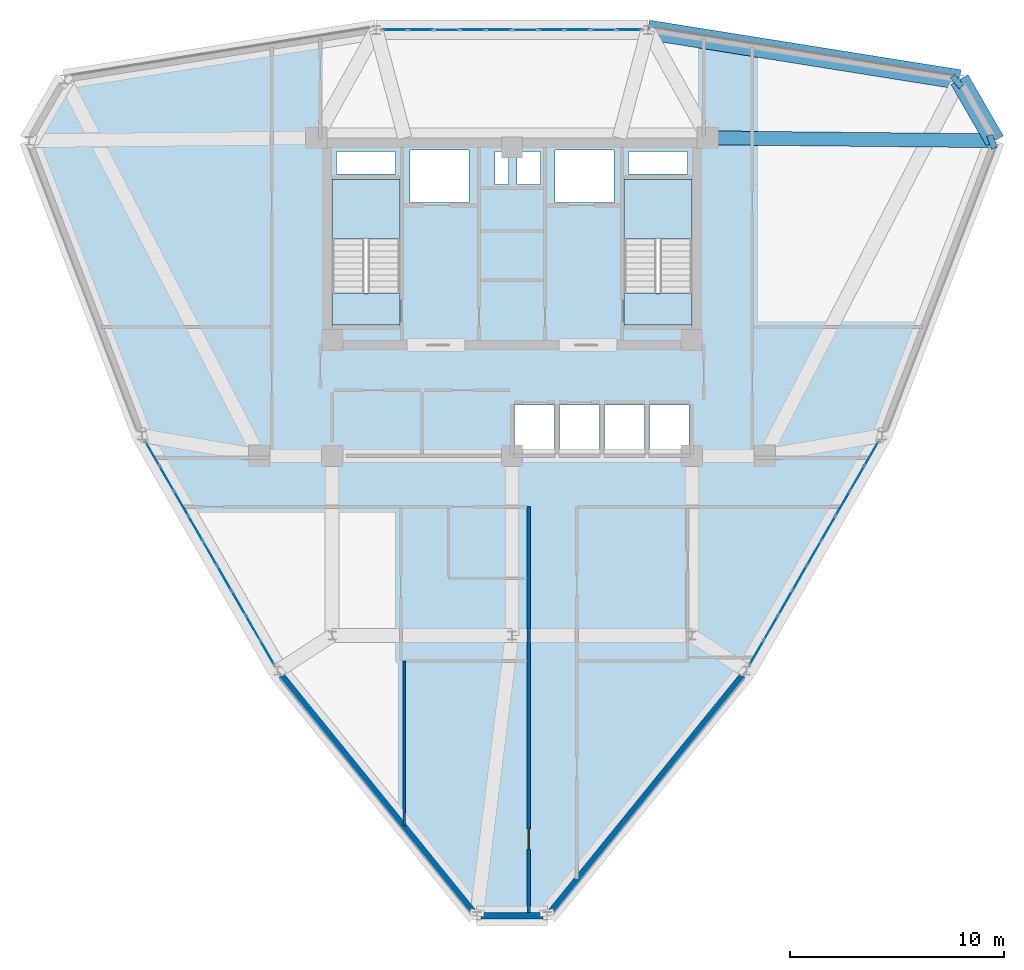
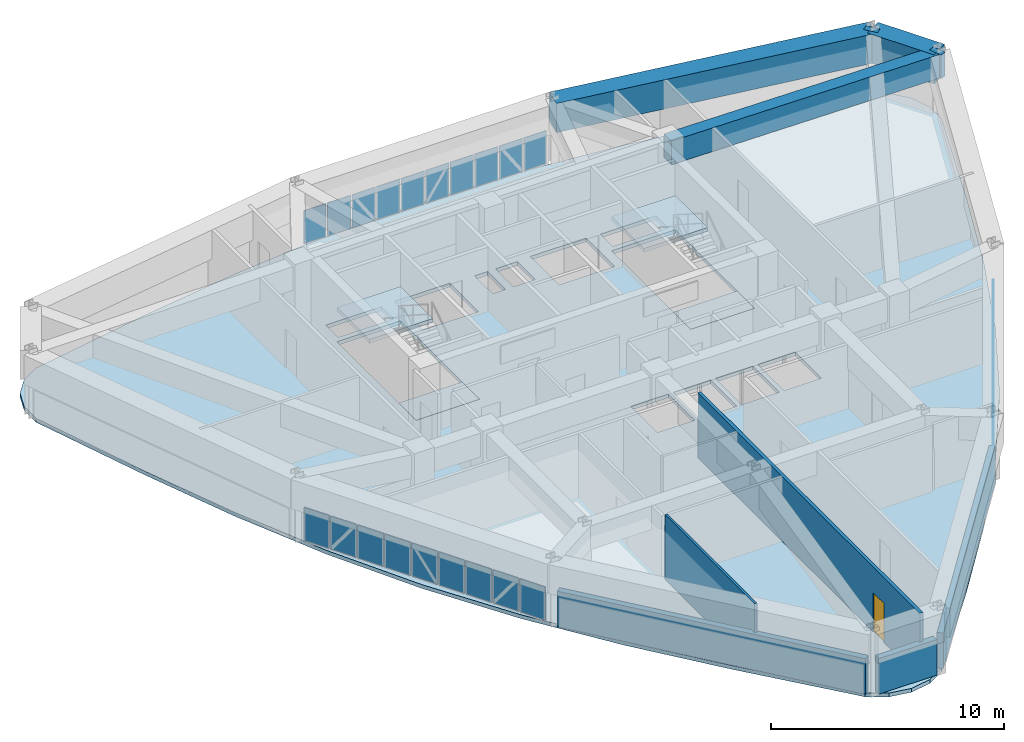
# One storey, part 9 of 14: 28 plates, 5 beams, 5 slabs, 5 walls, 1 door, 1 opening, 5 elements without a shape of their own.
"""IFC4 building model written with IfcOpenShell, lengths in metres."""

from ifc_helpers import new_model, si_unit, derived_unit, direction, frame, frame_2d, origin, origin_2d, place, context, subcontext, project, spatial, polyline, rectangle, outline, extrude, source, transform, mapped, material, layer, layer_set, material_profile, profile_set, type_object, element, fill, aggregate, save


model = new_model("IFC4")

# Units and contexts
model_context = context("Model", 3, precision=1e-05, world=origin(), true_north=direction((0.0, 1.0)))
body_context = subcontext(model_context, "Body", "Model", "MODEL_VIEW")
ifc_project = project(units=[si_unit("LENGTHUNIT", "METRE"), si_unit("AREAUNIT", "SQUARE_METRE"), si_unit("VOLUMEUNIT", "CUBIC_METRE"), si_unit("PLANEANGLEUNIT", "RADIAN"), si_unit("MASSUNIT", "GRAM", prefix="KILO"), derived_unit("THERMALTRANSMITTANCEUNIT", [(si_unit("POWERUNIT", "WATT"), 1), (si_unit("LENGTHUNIT", "METRE"), -2), (si_unit("THERMODYNAMICTEMPERATUREUNIT", "KELVIN"), -1)])], contexts=[model_context])

# Site, building, storey
site_placement = place(None, origin())
site = spatial("IfcSite", under=ifc_project, at=site_placement, CompositionType="ELEMENT")
building_placement = place(site_placement, origin())
building = spatial("IfcBuilding", under=site, at=building_placement, Name="Korsvarv Bourse and Concert Hall", CompositionType="ELEMENT")
storey_placement = place(building_placement, frame((0.0, 0.0, 175.800048828125)))
storey = spatial("IfcBuildingStorey", under=building, at=storey_placement, Name="L45", CompositionType="ELEMENT", Elevation=175.800048828125)

# Beams
ifc_material_1 = material(Name="Concrete C50/60", Category="concrete")
ifc_material_profile_1 = material_profile(ifc_material_1, rectangle(XDim=0.919921875, YDim=1.530029296875, at=origin_2d()), Name="RC-BM 920x1530")
ifc_profile_set_1 = profile_set([ifc_material_profile_1], Name="Concrete C50/60")
beam_type_1 = type_object("IfcBeamType", Name="BM-TR-154", PredefinedType="BEAM", material=ifc_profile_set_1)
shared_shape_1 = source(origin(), body_context, "Body", "SweptSolid", [
    extrude(rectangle(XDim=0.919921875, YDim=1.530029296875, at=origin_2d()), origin(), (0.0, 0.0, 1.0), 3.30322265625),
])
beam_1_placement = place(storey_placement, frame((58.553955078125, 47.114501953125, 2.635009765625), z_axis=(-0.500010360262, 0.866019422202, 0.0), x_axis=(-0.866019422202, -0.500010360262, 0.0)))
element("IfcBeam", 1, at=beam_1_placement, inside=storey, type_object=beam_type_1, Name="L45 beam B-TR6", PredefinedType="BEAM", context=body_context, shape_type="MappedRepresentation", body=[
    mapped(shared_shape_1, transform((0.0, 0.0, 0.0), scale=1.0)),
])
shared_shape_2 = source(origin(), body_context, "Body", "SweptSolid", [
    extrude(rectangle(XDim=0.919921875, YDim=1.530029296875, at=origin_2d()), origin(), (0.0, 0.0, 1.0), 14.740234375),
])
beam_2_placement = place(storey_placement, frame((56.90234375, 49.97509765625, 2.635009765625), z_axis=(-0.987527508196, 0.157446564127, 0.0), x_axis=(-0.157446564127, -0.987527508196, 0.0)))
element("IfcBeam", 2, at=beam_2_placement, inside=storey, type_object=beam_type_1, Name="L45 beam B-TR6", PredefinedType="BEAM", context=body_context, shape_type="MappedRepresentation", body=[
    mapped(shared_shape_2, transform((0.0, 0.0, 0.0), scale=1.0)),
])
ifc_material_profile_2 = material_profile(ifc_material_1, rectangle(XDim=0.64990234375, YDim=1.239990234375, at=origin_2d()), Name="RC-BM 650x1240")
ifc_profile_set_2 = profile_set([ifc_material_profile_2], Name="Concrete C50/60")
beam_type_2 = type_object("IfcBeamType", Name="BM-TR-SPN", PredefinedType="BEAM", material=ifc_profile_set_2)
shared_shape_3 = source(origin(), body_context, "Body", "SweptSolid", [
    extrude(rectangle(XDim=0.64990234375, YDim=1.239990234375, at=origin_2d()), origin(), (0.0, 0.0, 1.0), 13.40478515625),
])
beam_3_placement = place(storey_placement, frame((58.553955078125, 47.114501953125, 2.780029296875), z_axis=(-0.999948910631, 0.010108220778, 0.0), x_axis=(-0.010108220778, -0.999948910631, 0.0)))
element("IfcBeam", 3, at=beam_3_placement, inside=storey, type_object=beam_type_2, Name="L45 beam B-TRS", PredefinedType="BEAM", context=body_context, shape_type="MappedRepresentation", body=[
    mapped(shared_shape_3, transform((0.0, 0.0, 0.0), scale=1.0)),
])
shared_shape_4 = source(origin(), body_context, "Body", "SweptSolid", [
    extrude(rectangle(XDim=0.64990234375, YDim=1.239990234375, at=origin_2d()), origin(), (0.0, 0.0, 1.0), 0.282470703125),
])
for number, where, z_axis, x_axis, name in (
    (4, (58.553955078125, 47.114501953125, 2.780029296875), (-0.933167337898, -0.359442233857, 0.0), (0.359442233857, -0.933167337898, 0.0), "L45 beam B-TRS"),
    (5, (56.90234375, 49.97509765625, 2.780029296875), (-0.777908679248, -0.628377344237, 0.0), (0.628377344237, -0.777908679248, 0.0), "L45 beam B-TRS"),
):
    element("IfcBeam", number, at=place(storey_placement, frame(where, z_axis=z_axis, x_axis=x_axis)), inside=storey, type_object=beam_type_2, Name=name, PredefinedType="BEAM", context=body_context, shape_type="MappedRepresentation", body=[
        mapped(shared_shape_4, transform((0.0, 0.0, 0.0), scale=1.0)),
    ])

# Slabs
ifc_material_2 = material(Name="Precast concrete C45/55", Category="concrete")
ifc_layer_1 = layer(ifc_material_2, 0.199951171875)
ifc_layer_set_1 = layer_set([ifc_layer_1], Name="Precast concrete C45/55")
slab_type_1 = type_object("IfcSlabType", Name="SLB-FLND-T", PredefinedType="LANDING", material=ifc_layer_set_1)
slab_1_placement = place(storey_placement, frame((0.0, 0.0, -0.199951171875)))
element("IfcSlab", 6, at=slab_1_placement, inside=storey, type_object=slab_type_1, Name="L45 Stair ST-T1 Floor Landing Slab", PredefinedType="LANDING", context=body_context, shape_type="SweptSolid", body=[
    extrude(outline(polyline([(30.760009765625, 38.5), (30.760009765625, 40.0), (27.60009765625, 40.0), (27.60009765625, 38.5), (30.760009765625, 38.5)])), origin(), (0.0, 0.0, 1.0), 0.199951171875),
])
slab_2_placement = place(storey_placement, frame((0.0, 0.0, -0.199951171875)))
element("IfcSlab", 7, at=slab_2_placement, inside=storey, type_object=slab_type_1, Name="L45 Stair ST-T2 Floor Landing Slab", PredefinedType="LANDING", context=body_context, shape_type="SweptSolid", body=[
    extrude(outline(polyline([(44.39990234375, 38.5), (44.39990234375, 40.0), (41.239990234375, 40.0), (41.239990234375, 38.5), (44.39990234375, 38.5)])), origin(), (0.0, 0.0, 1.0), 0.199951171875),
])

# Stair, slab
stair_type = type_object("IfcStairType", Name="STR-TYPE-04", PredefinedType="HALF_TURN_STAIR", material=ifc_material_2)
stair_1_placement = place(storey_placement, origin())
stair_1 = element("IfcStair", 8, at=stair_1_placement, inside=storey, type_object=stair_type, Name="L45 Tower West Exit Stair ST-T1", PredefinedType="HALF_TURN_STAIR")
ifc_layer_2 = layer(ifc_material_2, 0.199951171875)
ifc_layer_set_2 = layer_set([ifc_layer_2], Name="Precast concrete C45/55")
slab_type_2 = type_object("IfcSlabType", Name="SLB-ST-LND", PredefinedType="LANDING", material=ifc_layer_set_2)
slab_3_placement = place(storey_placement, frame((0.0, 0.0, 1.599853515625)))
slab_3 = element("IfcSlab", 9, at=slab_3_placement, type_object=slab_type_2, Name="ST-T1 landing 1", PredefinedType="LANDING", context=body_context, shape_type="SweptSolid", body=[
    extrude(outline(polyline([(30.760009765625, 42.52001953125), (30.760009765625, 45.300048828125), (27.60009765625, 45.300048828125), (27.60009765625, 42.52001953125), (30.760009765625, 42.52001953125)])), origin(), (0.0, 0.0, 1.0), 0.2001953125),
])
aggregate(stair_1, [slab_3])

stair_2_placement = place(storey_placement, origin())
stair_2 = element("IfcStair", 10, at=stair_2_placement, inside=storey, type_object=stair_type, Name="L45 Tower East Exit Stair ST-T2", PredefinedType="HALF_TURN_STAIR")
slab_4_placement = place(storey_placement, frame((0.0, 0.0, 1.599853515625)))
slab_4 = element("IfcSlab", 11, at=slab_4_placement, type_object=slab_type_2, Name="ST-T2 landing 1", PredefinedType="LANDING", context=body_context, shape_type="SweptSolid", body=[
    extrude(outline(polyline([(44.39990234375, 42.52001953125), (44.39990234375, 45.300048828125), (41.239990234375, 45.300048828125), (41.239990234375, 42.52001953125), (44.39990234375, 42.52001953125)])), origin(), (0.0, 0.0, 1.0), 0.2001953125),
])
aggregate(stair_2, [slab_4])

# Slab
ifc_material_3 = material(Name="Concrete C45/55", Category="concrete")
ifc_layer_3 = layer(ifc_material_3, 0.199951171875)
ifc_layer_set_3 = layer_set([ifc_layer_3], Name="Concrete C45/55")
slab_type_3 = type_object("IfcSlabType", Name="SLB-TW2", PredefinedType="FLOOR", material=ifc_layer_set_3)
slab_5_placement = place(storey_placement, frame((0.0, 0.0, -0.199951171875)))
element("IfcSlab", 12, at=slab_5_placement, inside=storey, type_object=slab_type_3, Name="L45 tower structural floor slab", PredefinedType="FLOOR", context=body_context, shape_type="SweptSolid", body=[
    extrude(outline(polyline([(58.079345703125, 45.67333984375), (56.399169921875, 41.006591796875), (54.61083984375, 36.42724609375), (52.616943359375, 31.986572265625), (50.350341796875, 27.71484375), (47.7841796875, 23.615966796875), (44.935546875, 19.6689453125), (41.86376953125, 15.83056640625), (38.662353515625, 12.0419921875), (38.660400390625, 12.03955078125), (37.900634765625, 11.134033203125), (37.01123046875, 10.62060546875), (36.0, 10.4423828125), (34.98876953125, 10.62060546875), (34.099365234375, 11.134033203125), (33.339599609375, 12.03955078125), (33.337646484375, 12.0419921875), (30.13623046875, 15.83056640625), (27.064453125, 19.6689453125), (24.2158203125, 23.615966796875), (21.649658203125, 27.71484375), (19.383056640625, 31.986572265625), (17.38916015625, 36.42724609375), (15.600830078125, 41.006591796875), (13.920654296875, 45.67333984375), (13.91943359375, 45.67626953125), (13.51513671875, 46.787109375), (13.51513671875, 47.813720703125), (13.866455078125, 48.77880859375), (14.526611328125, 49.5654296875), (15.415771484375, 50.078857421875), (16.579833984375, 50.2841796875), (16.5830078125, 50.28466796875), (21.464599609375, 51.162841796875), (26.32470703125, 51.904052734375), (31.167236328125, 52.3974609375), (36.0, 52.5703125), (40.832763671875, 52.3974609375), (45.67529296875, 51.904052734375), (50.535400390625, 51.162841796875), (55.4169921875, 50.28466796875), (55.420166015625, 50.2841796875), (56.584228515625, 50.078857421875), (57.473388671875, 49.5654296875), (58.133544921875, 48.77880859375), (58.48486328125, 47.813720703125), (58.48486328125, 46.787109375), (58.08056640625, 45.67626953125), (58.079345703125, 45.67333984375)]), holes=[polyline([(30.760009765625, 38.5), (30.760009765625, 45.300048828125), (27.60009765625, 45.300048828125), (27.60009765625, 38.5), (30.760009765625, 38.5)]), polyline([(44.39990234375, 38.5), (44.39990234375, 45.300048828125), (41.239990234375, 45.300048828125), (41.239990234375, 38.5), (44.39990234375, 38.5)]), polyline([(31.239990234375, 44.219970703125), (34.0, 44.219970703125), (34.0, 46.679931640625), (31.239990234375, 46.679931640625), (31.239990234375, 44.219970703125)]), polyline([(38.0, 44.219970703125), (40.760009765625, 44.219970703125), (40.760009765625, 46.679931640625), (38.0, 46.679931640625), (38.0, 44.219970703125)]), polyline([(36.1201171875, 32.52001953125), (37.97998046875, 32.52001953125), (37.97998046875, 34.780029296875), (36.1201171875, 34.780029296875), (36.1201171875, 32.52001953125)]), polyline([(38.219970703125, 32.52001953125), (40.080078125, 32.52001953125), (40.080078125, 34.780029296875), (38.219970703125, 34.780029296875), (38.219970703125, 32.52001953125)]), polyline([(40.320068359375, 32.52001953125), (42.179931640625, 32.52001953125), (42.179931640625, 34.780029296875), (40.320068359375, 34.780029296875), (40.320068359375, 32.52001953125)]), polyline([(42.419921875, 32.52001953125), (44.280029296875, 32.52001953125), (44.280029296875, 34.780029296875), (42.419921875, 34.780029296875), (42.419921875, 32.52001953125)]), polyline([(27.800048828125, 45.56005859375), (30.56005859375, 45.56005859375), (30.56005859375, 46.6201171875), (27.800048828125, 46.6201171875), (27.800048828125, 45.56005859375)]), polyline([(41.43994140625, 45.56005859375), (44.199951171875, 45.56005859375), (44.199951171875, 46.6201171875), (41.43994140625, 46.6201171875), (41.43994140625, 45.56005859375)]), polyline([(35.199951171875, 45.080078125), (35.840087890625, 45.080078125), (35.840087890625, 46.6201171875), (35.199951171875, 46.6201171875), (35.199951171875, 45.080078125)]), polyline([(36.239990234375, 45.080078125), (37.320068359375, 45.080078125), (37.320068359375, 46.6201171875), (36.239990234375, 46.6201171875), (36.239990234375, 45.080078125)])]), origin(), (0.0, 0.0, 1.0), 0.199951171875),
])

# Curtain wall, plates
ifc_material_4 = material(Name="Anodised aluminium and triple low-E glazing", Category="glass")
ifc_layer_4 = layer(ifc_material_4, 0.199951171875)
ifc_layer_set_4 = layer_set([ifc_layer_4], Name="Anodised aluminium and triple low-E glazing")
curtain_wall_type = type_object("IfcCurtainWallType", Name="CW-SYS-3", PredefinedType="NOTDEFINED", material=ifc_layer_set_4)
curtain_wall_1_placement = place(storey_placement, origin())
curtain_wall_1 = element("IfcCurtainWall", 13, at=curtain_wall_1_placement, inside=storey, type_object=curtain_wall_type, Name="L45 CW3 curtain wall CW-L45-F03", PredefinedType="NOTDEFINED")
ifc_material_5 = material(Name="Tempered triple insulated low-E architectural glass", Category="glass")
ifc_layer_5 = layer(ifc_material_5, 0.0380859375)
ifc_layer_set_5 = layer_set([ifc_layer_5], Name="Tempered triple insulated low-E architectural glass")
plate_type_1 = type_object("IfcPlateType", Name="CWP-VIS2", PredefinedType="CURTAIN_PANEL", material=ifc_layer_set_5)
shared_shape_5 = source(origin(), body_context, "Body", "SweptSolid", [
    extrude(rectangle(XDim=1.113525390625, YDim=0.0380859375, at=origin_2d()), origin(), (0.0, 0.0, 1.0), 1.739990234375),
])
plate_1_placement = place(storey_placement, frame((41.46630859375, 52.2958984375, 0.06494140625), z_axis=(0.0, 0.0, 1.0), x_axis=(-1.0, 0.0, 0.0)))
plate_1 = element("IfcPlate", 14, at=plate_1_placement, type_object=plate_type_1, Name="CW3 faceted panel 1.1", PredefinedType="CURTAIN_PANEL", context=body_context, shape_type="MappedRepresentation", body=[
    mapped(shared_shape_5, transform((0.0, 0.0, 0.0), scale=1.0)),
])
plate_2_placement = place(storey_placement, frame((30.53369140625, 52.2958984375, 0.06494140625), z_axis=(0.0, 0.0, 1.0), x_axis=(-1.0, 0.0, 0.0)))
plate_2 = element("IfcPlate", 15, at=plate_2_placement, type_object=plate_type_1, Name="CW3 faceted panel 10.1", PredefinedType="CURTAIN_PANEL", context=body_context, shape_type="MappedRepresentation", body=[
    mapped(shared_shape_5, transform((0.0, 0.0, 0.0), scale=1.0)),
])
ifc_material_6 = material(Name="Insulated spandrel glass", Category="glass")
ifc_layer_6 = layer(ifc_material_6, 0.031982421875)
ifc_layer_set_6 = layer_set([ifc_layer_6], Name="Insulated spandrel glass")
plate_type_2 = type_object("IfcPlateType", Name="CWP-SPD1", PredefinedType="CURTAIN_PANEL", material=ifc_layer_set_6)
shared_shape_6 = source(origin(), body_context, "Body", "SweptSolid", [
    extrude(rectangle(XDim=1.148681640625, YDim=0.031982421875, at=origin_2d()), origin(), (0.0, 0.0, 1.0), 1.739990234375),
])
plate_3_placement = place(storey_placement, frame((40.26513671875, 52.2958984375, 0.06494140625), z_axis=(0.0, 0.0, 1.0), x_axis=(-1.0, 0.0, 0.0)))
plate_3 = element("IfcPlate", 16, at=plate_3_placement, type_object=plate_type_2, Name="CW3 spandrel shadow-box panel 2.1", PredefinedType="CURTAIN_PANEL", context=body_context, shape_type="MappedRepresentation", body=[
    mapped(shared_shape_6, transform((0.0, 0.0, 0.0), scale=1.0)),
])
plate_4_placement = place(storey_placement, frame((36.609375, 52.2958984375, 0.06494140625), z_axis=(0.0, 0.0, 1.0), x_axis=(-1.0, 0.0, 0.0)))
plate_4 = element("IfcPlate", 17, at=plate_4_placement, type_object=plate_type_2, Name="CW3 spandrel shadow-box panel 5.1", PredefinedType="CURTAIN_PANEL", context=body_context, shape_type="MappedRepresentation", body=[
    mapped(shared_shape_6, transform((0.0, 0.0, 0.0), scale=1.0)),
])
plate_5_placement = place(storey_placement, frame((32.95361328125, 52.2958984375, 0.06494140625), z_axis=(0.0, 0.0, 1.0), x_axis=(-1.0, 0.0, 0.0)))
plate_5 = element("IfcPlate", 18, at=plate_5_placement, type_object=plate_type_2, Name="CW3 spandrel shadow-box panel 8.1", PredefinedType="CURTAIN_PANEL", context=body_context, shape_type="MappedRepresentation", body=[
    mapped(shared_shape_6, transform((0.0, 0.0, 0.0), scale=1.0)),
])
shared_shape_7 = source(origin(), body_context, "Body", "SweptSolid", [
    extrude(rectangle(XDim=1.148681640625, YDim=0.0380859375, at=origin_2d()), origin(), (0.0, 0.0, 1.0), 1.739990234375),
])
plate_6_placement = place(storey_placement, frame((39.04638671875, 52.2958984375, 0.06494140625), z_axis=(0.0, 0.0, 1.0), x_axis=(-1.0, 0.0, 0.0)))
plate_6 = element("IfcPlate", 19, at=plate_6_placement, type_object=plate_type_1, Name="CW3 faceted panel 3.1", PredefinedType="CURTAIN_PANEL", context=body_context, shape_type="MappedRepresentation", body=[
    mapped(shared_shape_7, transform((0.0, 0.0, 0.0), scale=1.0)),
])
plate_7_placement = place(storey_placement, frame((37.827880859375, 52.2958984375, 0.06494140625), z_axis=(0.0, 0.0, 1.0), x_axis=(-1.0, 0.0, 0.0)))
plate_7 = element("IfcPlate", 20, at=plate_7_placement, type_object=plate_type_1, Name="CW3 faceted panel 4.1", PredefinedType="CURTAIN_PANEL", context=body_context, shape_type="MappedRepresentation", body=[
    mapped(shared_shape_7, transform((0.0, 0.0, 0.0), scale=1.0)),
])
plate_8_placement = place(storey_placement, frame((35.390625, 52.2958984375, 0.06494140625), z_axis=(0.0, 0.0, 1.0), x_axis=(-1.0, 0.0, 0.0)))
plate_8 = element("IfcPlate", 21, at=plate_8_placement, type_object=plate_type_1, Name="CW3 faceted panel 6.1", PredefinedType="CURTAIN_PANEL", context=body_context, shape_type="MappedRepresentation", body=[
    mapped(shared_shape_7, transform((0.0, 0.0, 0.0), scale=1.0)),
])
plate_9_placement = place(storey_placement, frame((34.172119140625, 52.2958984375, 0.06494140625), z_axis=(0.0, 0.0, 1.0), x_axis=(-1.0, 0.0, 0.0)))
plate_9 = element("IfcPlate", 22, at=plate_9_placement, type_object=plate_type_1, Name="CW3 faceted panel 7.1", PredefinedType="CURTAIN_PANEL", context=body_context, shape_type="MappedRepresentation", body=[
    mapped(shared_shape_7, transform((0.0, 0.0, 0.0), scale=1.0)),
])
plate_10_placement = place(storey_placement, frame((31.73486328125, 52.2958984375, 0.06494140625), z_axis=(0.0, 0.0, 1.0), x_axis=(-1.0, 0.0, 0.0)))
plate_10 = element("IfcPlate", 23, at=plate_10_placement, type_object=plate_type_1, Name="CW3 faceted panel 9.1", PredefinedType="CURTAIN_PANEL", context=body_context, shape_type="MappedRepresentation", body=[
    mapped(shared_shape_7, transform((0.0, 0.0, 0.0), scale=1.0)),
])
aggregate(curtain_wall_1, [plate_1, plate_3, plate_6, plate_7, plate_4, plate_8, plate_9, plate_5, plate_10, plate_2])

curtain_wall_2_placement = place(storey_placement, origin())
curtain_wall_2 = element("IfcCurtainWall", 24, at=curtain_wall_2_placement, inside=storey, type_object=curtain_wall_type, Name="L45 CW3 curtain wall CW-L45-F07", PredefinedType="NOTDEFINED")
shared_shape_8 = source(origin(), body_context, "Body", "SweptSolid", [
    extrude(rectangle(XDim=1.239013671875, YDim=0.0380859375, at=origin_2d()), origin(), (0.0, 0.0, 1.0), 1.739990234375),
])
plate_11_placement = place(storey_placement, frame((19.208251953125, 32.49267578125, 0.06494140625), z_axis=(0.0, 0.0, 1.0), x_axis=(0.499994389938, -0.866028642731, 0.0)))
plate_11 = element("IfcPlate", 25, at=plate_11_placement, type_object=plate_type_1, Name="CW3 faceted panel 1.1", PredefinedType="CURTAIN_PANEL", context=body_context, shape_type="MappedRepresentation", body=[
    mapped(shared_shape_8, transform((0.0, 0.0, 0.0), scale=1.0)),
])
plate_12_placement = place(storey_placement, frame((24.566650390625, 23.21142578125, 0.06494140625), z_axis=(0.0, 0.0, 1.0), x_axis=(0.499994389938, -0.866028642731, 0.0)))
plate_12 = element("IfcPlate", 26, at=plate_12_placement, type_object=plate_type_1, Name="CW3 faceted panel 9.1", PredefinedType="CURTAIN_PANEL", context=body_context, shape_type="MappedRepresentation", body=[
    mapped(shared_shape_8, transform((0.0, 0.0, 0.0), scale=1.0)),
])

curtain_wall_3_placement = place(storey_placement, origin())
curtain_wall_3 = element("IfcCurtainWall", 27, at=curtain_wall_3_placement, inside=storey, type_object=curtain_wall_type, Name="L45 CW3 curtain wall CW-L45-F11", PredefinedType="NOTDEFINED")
plate_13_placement = place(storey_placement, frame((47.433349609375, 23.21142578125, 0.06494140625), z_axis=(0.0, 0.0, 1.0), x_axis=(0.499994389938, 0.866028642731, 0.0)))
plate_13 = element("IfcPlate", 28, at=plate_13_placement, type_object=plate_type_1, Name="CW3 faceted panel 1.1", PredefinedType="CURTAIN_PANEL", context=body_context, shape_type="MappedRepresentation", body=[
    mapped(shared_shape_8, transform((0.0, 0.0, 0.0), scale=1.0)),
])
plate_14_placement = place(storey_placement, frame((52.791748046875, 32.49267578125, 0.06494140625), z_axis=(0.0, 0.0, 1.0), x_axis=(0.499994389938, 0.866028642731, 0.0)))
plate_14 = element("IfcPlate", 29, at=plate_14_placement, type_object=plate_type_1, Name="CW3 faceted panel 9.1", PredefinedType="CURTAIN_PANEL", context=body_context, shape_type="MappedRepresentation", body=[
    mapped(shared_shape_8, transform((0.0, 0.0, 0.0), scale=1.0)),
])

# Plate
shared_shape_9 = source(origin(), body_context, "Body", "SweptSolid", [
    extrude(rectangle(XDim=1.27392578125, YDim=0.031982421875, at=origin_2d()), origin(), (0.0, 0.0, 1.0), 1.739990234375),
])
plate_15_placement = place(storey_placement, frame((19.871337890625, 31.343994140625, 0.06494140625), z_axis=(0.0, 0.0, 1.0), x_axis=(0.499994389938, -0.866028642731, 0.0)))
plate_15 = element("IfcPlate", 30, at=plate_15_placement, type_object=plate_type_2, Name="CW3 spandrel shadow-box panel 2.1", PredefinedType="CURTAIN_PANEL", context=body_context, shape_type="MappedRepresentation", body=[
    mapped(shared_shape_9, transform((0.0, 0.0, 0.0), scale=1.0)),
])

plate_16_placement = place(storey_placement, frame((21.887451171875, 27.85205078125, 0.06494140625), z_axis=(0.0, 0.0, 1.0), x_axis=(0.499994389938, -0.866028642731, 0.0)))
plate_16 = element("IfcPlate", 31, at=plate_16_placement, type_object=plate_type_2, Name="CW3 spandrel shadow-box panel 5.1", PredefinedType="CURTAIN_PANEL", context=body_context, shape_type="MappedRepresentation", body=[
    mapped(shared_shape_9, transform((0.0, 0.0, 0.0), scale=1.0)),
])

plate_17_placement = place(storey_placement, frame((23.9033203125, 24.3603515625, 0.06494140625), z_axis=(0.0, 0.0, 1.0), x_axis=(0.499994389938, -0.866028642731, 0.0)))
plate_17 = element("IfcPlate", 32, at=plate_17_placement, type_object=plate_type_2, Name="CW3 spandrel shadow-box panel 8.1", PredefinedType="CURTAIN_PANEL", context=body_context, shape_type="MappedRepresentation", body=[
    mapped(shared_shape_9, transform((0.0, 0.0, 0.0), scale=1.0)),
])

plate_18_placement = place(storey_placement, frame((48.0966796875, 24.3603515625, 0.06494140625), z_axis=(0.0, 0.0, 1.0), x_axis=(0.499994389938, 0.866028642731, 0.0)))
plate_18 = element("IfcPlate", 33, at=plate_18_placement, type_object=plate_type_2, Name="CW3 spandrel shadow-box panel 2.1", PredefinedType="CURTAIN_PANEL", context=body_context, shape_type="MappedRepresentation", body=[
    mapped(shared_shape_9, transform((0.0, 0.0, 0.0), scale=1.0)),
])

plate_19_placement = place(storey_placement, frame((50.112548828125, 27.85205078125, 0.06494140625), z_axis=(0.0, 0.0, 1.0), x_axis=(0.499994389938, 0.866028642731, 0.0)))
plate_19 = element("IfcPlate", 34, at=plate_19_placement, type_object=plate_type_2, Name="CW3 spandrel shadow-box panel 5.1", PredefinedType="CURTAIN_PANEL", context=body_context, shape_type="MappedRepresentation", body=[
    mapped(shared_shape_9, transform((0.0, 0.0, 0.0), scale=1.0)),
])

plate_20_placement = place(storey_placement, frame((52.128662109375, 31.343994140625, 0.06494140625), z_axis=(0.0, 0.0, 1.0), x_axis=(0.499994389938, 0.866028642731, 0.0)))
plate_20 = element("IfcPlate", 35, at=plate_20_placement, type_object=plate_type_2, Name="CW3 spandrel shadow-box panel 8.1", PredefinedType="CURTAIN_PANEL", context=body_context, shape_type="MappedRepresentation", body=[
    mapped(shared_shape_9, transform((0.0, 0.0, 0.0), scale=1.0)),
])

shared_shape_10 = source(origin(), body_context, "Body", "SweptSolid", [
    extrude(rectangle(XDim=1.27392578125, YDim=0.0380859375, at=origin_2d()), origin(), (0.0, 0.0, 1.0), 1.739990234375),
])
plate_21_placement = place(storey_placement, frame((20.54345703125, 30.179931640625, 0.06494140625), z_axis=(0.0, 0.0, 1.0), x_axis=(0.499994389938, -0.866028642731, 0.0)))
plate_21 = element("IfcPlate", 36, at=plate_21_placement, type_object=plate_type_1, Name="CW3 faceted panel 3.1", PredefinedType="CURTAIN_PANEL", context=body_context, shape_type="MappedRepresentation", body=[
    mapped(shared_shape_10, transform((0.0, 0.0, 0.0), scale=1.0)),
])

plate_22_placement = place(storey_placement, frame((21.21533203125, 29.01611328125, 0.06494140625), z_axis=(0.0, 0.0, 1.0), x_axis=(0.499994389938, -0.866028642731, 0.0)))
plate_22 = element("IfcPlate", 37, at=plate_22_placement, type_object=plate_type_1, Name="CW3 faceted panel 4.1", PredefinedType="CURTAIN_PANEL", context=body_context, shape_type="MappedRepresentation", body=[
    mapped(shared_shape_10, transform((0.0, 0.0, 0.0), scale=1.0)),
])

plate_23_placement = place(storey_placement, frame((22.559326171875, 26.688232421875, 0.06494140625), z_axis=(0.0, 0.0, 1.0), x_axis=(0.499994389938, -0.866028642731, 0.0)))
plate_23 = element("IfcPlate", 38, at=plate_23_placement, type_object=plate_type_1, Name="CW3 faceted panel 6.1", PredefinedType="CURTAIN_PANEL", context=body_context, shape_type="MappedRepresentation", body=[
    mapped(shared_shape_10, transform((0.0, 0.0, 0.0), scale=1.0)),
])

plate_24_placement = place(storey_placement, frame((23.2314453125, 25.524169921875, 0.06494140625), z_axis=(0.0, 0.0, 1.0), x_axis=(0.499994389938, -0.866028642731, 0.0)))
plate_24 = element("IfcPlate", 39, at=plate_24_placement, type_object=plate_type_1, Name="CW3 faceted panel 7.1", PredefinedType="CURTAIN_PANEL", context=body_context, shape_type="MappedRepresentation", body=[
    mapped(shared_shape_10, transform((0.0, 0.0, 0.0), scale=1.0)),
])

aggregate(curtain_wall_2, [plate_11, plate_15, plate_21, plate_22, plate_16, plate_23, plate_24, plate_17, plate_12])

plate_25_placement = place(storey_placement, frame((48.7685546875, 25.524169921875, 0.06494140625), z_axis=(0.0, 0.0, 1.0), x_axis=(0.499994389938, 0.866028642731, 0.0)))
plate_25 = element("IfcPlate", 40, at=plate_25_placement, type_object=plate_type_1, Name="CW3 faceted panel 3.1", PredefinedType="CURTAIN_PANEL", context=body_context, shape_type="MappedRepresentation", body=[
    mapped(shared_shape_10, transform((0.0, 0.0, 0.0), scale=1.0)),
])

plate_26_placement = place(storey_placement, frame((49.440673828125, 26.688232421875, 0.06494140625), z_axis=(0.0, 0.0, 1.0), x_axis=(0.499994389938, 0.866028642731, 0.0)))
plate_26 = element("IfcPlate", 41, at=plate_26_placement, type_object=plate_type_1, Name="CW3 faceted panel 4.1", PredefinedType="CURTAIN_PANEL", context=body_context, shape_type="MappedRepresentation", body=[
    mapped(shared_shape_10, transform((0.0, 0.0, 0.0), scale=1.0)),
])

plate_27_placement = place(storey_placement, frame((50.78466796875, 29.01611328125, 0.06494140625), z_axis=(0.0, 0.0, 1.0), x_axis=(0.499994389938, 0.866028642731, 0.0)))
plate_27 = element("IfcPlate", 42, at=plate_27_placement, type_object=plate_type_1, Name="CW3 faceted panel 6.1", PredefinedType="CURTAIN_PANEL", context=body_context, shape_type="MappedRepresentation", body=[
    mapped(shared_shape_10, transform((0.0, 0.0, 0.0), scale=1.0)),
])

plate_28_placement = place(storey_placement, frame((51.45654296875, 30.179931640625, 0.06494140625), z_axis=(0.0, 0.0, 1.0), x_axis=(0.499994389938, 0.866028642731, 0.0)))
plate_28 = element("IfcPlate", 43, at=plate_28_placement, type_object=plate_type_1, Name="CW3 faceted panel 7.1", PredefinedType="CURTAIN_PANEL", context=body_context, shape_type="MappedRepresentation", body=[
    mapped(shared_shape_10, transform((0.0, 0.0, 0.0), scale=1.0)),
])

aggregate(curtain_wall_3, [plate_13, plate_18, plate_25, plate_26, plate_19, plate_27, plate_28, plate_20, plate_14])

# Walls
ifc_material_7 = material(Name="Precast concrete C45/55 with terracotta rainscreen", Category="concrete")
ifc_layer_7 = layer(ifc_material_7, 0.300048828125)
ifc_layer_set_7 = layer_set([ifc_layer_7], Name="Precast concrete C45/55 with terracotta rainscreen")
wall_type_1 = type_object("IfcWallType", Name="WL-EXT-TC1", PredefinedType="SOLIDWALL", material=ifc_layer_set_7)
wall_1_placement = place(storey_placement, frame((34.556396484375, 10.91064453125, 0.0), z_axis=(0.0, 0.0, 1.0), x_axis=(1.0, 0.0, 0.0)))
element("IfcWall", 44, at=wall_1_placement, inside=storey, type_object=wall_type_1, Name="L45 terracotta exterior wall EW-L45-B09", PredefinedType="SOLIDWALL", context=body_context, shape_type="SweptSolid", body=[
    extrude(rectangle(XDim=2.88720703125, YDim=0.300048828125, at=frame_2d((1.443603515625, 0.0))), origin(), (0.0, 0.0, 1.0), 1.869873046875),
])
ifc_material_8 = material(Name="Precast concrete C45/55 with fluted terracotta pier", Category="concrete")
ifc_layer_8 = layer(ifc_material_8, 0.280029296875)
ifc_layer_set_8 = layer_set([ifc_layer_8], Name="Precast concrete C45/55 with fluted terracotta pier")
wall_type_2 = type_object("IfcWallType", Name="WL-EXT-TC2", PredefinedType="SOLIDWALL", material=ifc_layer_set_8)
for number, where, z_axis, x_axis, name in (
    (45, (25.233154296875, 22.143310546875, 0.0), (0.0, 0.0, 1.0), (0.63011778054, -0.776499570281, 0.0), "L45 terracotta exterior wall EW-L45-B08"),
    (46, (37.824462890625, 11.12353515625, 0.0), (0.0, 0.0, 1.0), (0.63011778054, 0.776499570281, 0.0), "L45 terracotta exterior wall EW-L45-B10"),
):
    element("IfcWall", number, at=place(storey_placement, frame(where, z_axis=z_axis, x_axis=x_axis)), inside=storey, type_object=wall_type_2, Name=name, PredefinedType="SOLIDWALL", context=body_context, shape_type="SweptSolid", body=[
        extrude(rectangle(XDim=14.191650390625, YDim=0.280029296875, at=frame_2d((7.095703125, 0.0))), origin(), (0.0, 0.0, 1.0), 1.869873046875),
    ])

# Wall, opening, door
ifc_material_9 = material(Name="Double-stud fire-rated acoustic partition", Category="gypsum")
ifc_layer_9 = layer(ifc_material_9, 0.159912109375)
ifc_layer_set_9 = layer_set([ifc_layer_9], Name="Double-stud fire-rated acoustic partition")
wall_type_3 = type_object("IfcWallType", Name="WL-INT-EI60", PredefinedType="PARTITIONING", material=ifc_layer_set_9)
wall_2_placement = place(storey_placement, frame((36.77490234375, 10.9306640625, 0.0), z_axis=(0.0, 0.0, 1.0), x_axis=(0.0, 1.0, 0.0)))
wall_2 = element("IfcWall", 47, at=wall_2_placement, inside=storey, type_object=wall_type_3, Name="L45 interior partition wall W-L45-TCOR-03", PredefinedType="PARTITIONING", context=body_context, shape_type="SweptSolid", body=[
    extrude(rectangle(XDim=19.099365234375, YDim=0.159912109375, at=frame_2d((9.5498046875, 0.0))), origin(), (0.0, 0.0, 1.0), 3.39990234375),
])
opening_placement = place(wall_2_placement, frame((3.076416015625, 0.0, 0.0)))
opening = element("IfcOpeningElement", 48, at=opening_placement, cuts=wall_2, Name="Opening D-02", PredefinedType="OPENING", context=body_context, shape_type="SweptSolid", body=[
    extrude(rectangle(XDim=0.949951171875, YDim=2.050048828125, at=frame_2d((0.47509765625, 1.02490234375))), frame((0.0, 0.08984375, 0.0), z_axis=(0.0, -1.0, 0.0), x_axis=(1.0, 0.0, 0.0)), (0.0, 0.0, 1.0), 0.179931640625),
])
ifc_material_10 = material(Name="Timber and steel acoustic fire door", Category="wood")
door_type = type_object("IfcDoorType", Name="DR-FD30", OperationType="NOTDEFINED", PredefinedType="DOOR", material=ifc_material_10)
door_placement = place(opening_placement, origin())
door = element("IfcDoor", 49, at=door_placement, inside=storey, type_object=door_type, Name="L45 interior door DR-L45-TCOR-CD48", OperationType="SINGLE_SWING_RIGHT", OverallHeight=2.050048828125, OverallWidth=0.949951171875, PredefinedType="DOOR", context=body_context, shape_type="SweptSolid", body=[
    extrude(rectangle(XDim=0.949951171875, YDim=2.050048828125, at=frame_2d((0.47509765625, 1.02490234375))), frame((0.0, 0.02490234375, 0.0), z_axis=(0.0, -1.0, 0.0), x_axis=(1.0, 0.0, 0.0)), (0.0, 0.0, 1.0), 0.050048828125),
])
fill(opening, door)

# Wall
ifc_material_11 = material(Name="Demountable acoustic glass and aluminium dealing partition", Category="aluminium")
ifc_layer_10 = layer(ifc_material_11, 0.110107421875)
ifc_layer_set_10 = layer_set([ifc_layer_10], Name="Demountable acoustic glass and aluminium dealing partition")
wall_type_4 = type_object("IfcWallType", Name="WL-INT-MOV", PredefinedType="MOVABLE", material=ifc_layer_set_10)
wall_3_placement = place(storey_placement, frame((30.961669921875, 15.10400390625, 0.0), z_axis=(0.0, 0.0, 1.0), x_axis=(0.000443543234, 0.999999901635, 0.0)))
element("IfcWall", 50, at=wall_3_placement, inside=storey, type_object=wall_type_4, Name="L45 interior partition wall W-L45-TCOR-13", PredefinedType="MOVABLE", context=body_context, shape_type="SweptSolid", body=[
    extrude(rectangle(XDim=7.7060546875, YDim=0.110107421875, at=frame_2d((3.85302734375, 0.0))), origin(), (0.0, 0.0, 1.0), 3.39990234375),
])

save(model, "model.ifc")
